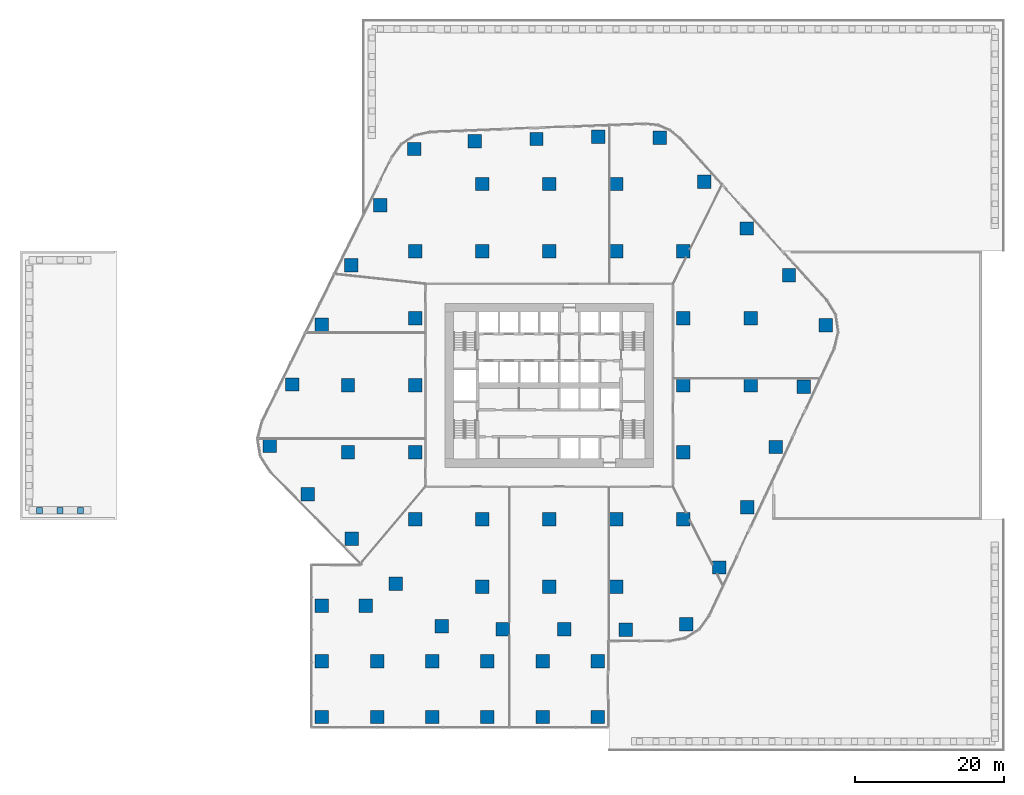
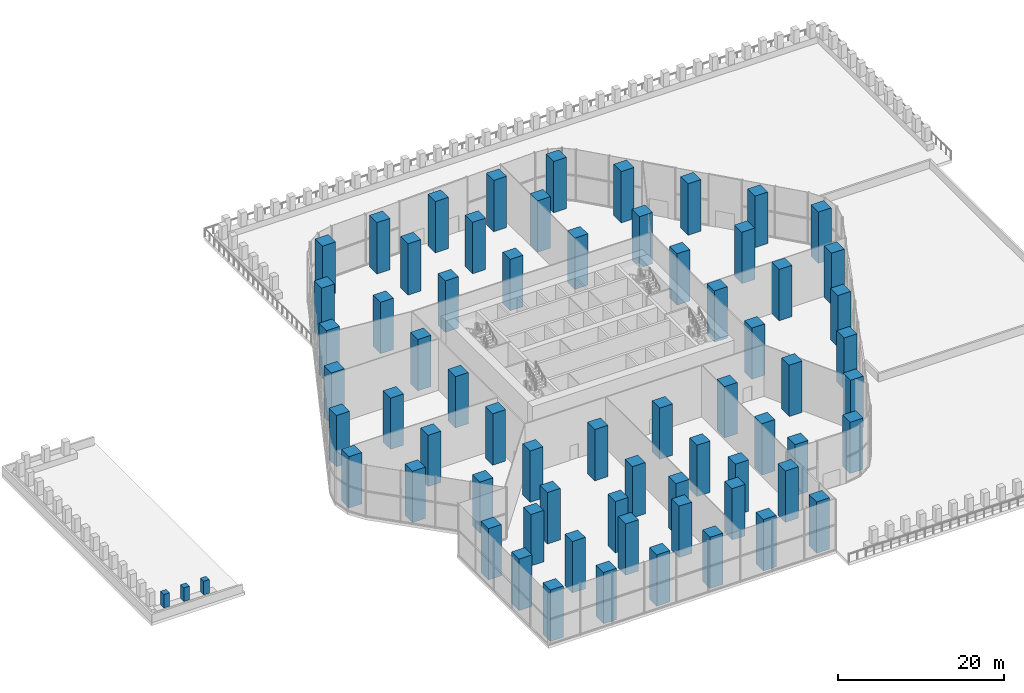
# One storey, part 1 of 22: 66 columns, 3 members.
"""IFC4 building model written with IfcOpenShell, lengths in metres."""

from ifc_helpers import new_model, si_unit, direction, frame, origin, origin_2d, place, context, subcontext, project, spatial, rectangle, extrude, material, material_profile, profile_set, type_object, element, save


model = new_model("IFC4")

# Units and contexts
model_context = context("Model", 3, precision=1e-05, world=origin(), true_north=direction((0.0, 1.0)))
body_context = subcontext(model_context, "Body", "Model", "MODEL_VIEW")
ifc_project = project(units=[si_unit("LENGTHUNIT", "METRE"), si_unit("AREAUNIT", "SQUARE_METRE"), si_unit("VOLUMEUNIT", "CUBIC_METRE"), si_unit("PLANEANGLEUNIT", "RADIAN"), si_unit("MASSUNIT", "GRAM", prefix="KILO")], contexts=[model_context])

# Site, building, storey
site_placement = place(None, origin())
site = spatial("IfcSite", under=ifc_project, at=site_placement, CompositionType="ELEMENT")
building_placement = place(site_placement, origin())
building = spatial("IfcBuilding", under=site, at=building_placement, Name="Dongbaek Canopy Tower", CompositionType="ELEMENT")
storey_placement = place(building_placement, frame((0.0, 0.0, 19.0)))
storey = spatial("IfcBuildingStorey", under=building, at=storey_placement, Name="L02", CompositionType="ELEMENT", Elevation=19.0)

# Columns
ifc_material_1 = material(Name="Concrete C80", Category="concrete")
ifc_material_profile_1 = material_profile(ifc_material_1, rectangle(XDim=1.800048828125, YDim=1.800048828125, at=origin_2d()), Name="RC COLUMN 1800x1800 C80")
ifc_profile_set_1 = profile_set([ifc_material_profile_1], Name="Concrete C80")
column_type = type_object("IfcColumnType", Name="RC COLUMN 1800x1800 C80", PredefinedType="COLUMN", material=ifc_profile_set_1)
for number, where, z_axis, x_axis, name in (
    (1, (18.367919921875, -32.04296875, 0.0), (0.0, 0.0, 1.0), (1.0, 0.0, 0.0), "COL:CP-01:L02"),
    (2, (10.277099609375, -32.7900390625, 0.0), (0.0, 0.0, 1.0), (1.0, 0.0, 0.0), "COL:CP-02:L02"),
    (3, (2.027099609375, -32.7529296875, 0.0), (0.0, 0.0, 1.0), (1.0, 0.0, 0.0), "COL:CP-03:L02"),
    (4, (-6.221923828125, -32.717041015625, 0.0), (0.0, 0.0, 1.0), (1.0, 0.0, 0.0), "COL:CP-04:L02"),
    (5, (-14.43408203125, -32.31298828125, 0.0), (0.0, 0.0, 1.0), (1.0, 0.0, 0.0), "COL:CP-05:L02"),
    (6, (-20.573974609375, -26.60205078125, 0.0), (0.0, 0.0, 1.0), (1.0, 0.0, 0.0), "COL:CP-06:L02"),
    (7, (-26.47802734375, -20.60791015625, 0.0), (0.0, 0.0, 1.0), (1.0, 0.0, 0.0), "COL:CP-07:L02"),
    (8, (-32.382080078125, -14.613037109375, 0.0), (0.0, 0.0, 1.0), (1.0, 0.0, 0.0), "COL:CP-08:L02"),
    (9, (-37.489013671875, -8.123046875, 0.0), (0.0, 0.0, 1.0), (1.0, 0.0, 0.0), "COL:CP-09:L02"),
    (10, (-34.462890625, 0.10302734375, 0.0), (0.0, 0.0, 1.0), (1.0, 0.0, 0.0), "COL:CP-10:L02"),
    (11, (-30.52490234375, 8.111083984375, 0.0), (0.0, 0.0, 1.0), (1.0, 0.0, 0.0), "COL:CP-11:L02"),
    (12, (-26.5859375, 16.117919921875, 0.0), (0.0, 0.0, 1.0), (1.0, 0.0, 0.0), "COL:CP-12:L02"),
    (13, (-22.64794921875, 24.125, 0.0), (0.0, 0.0, 1.0), (1.0, 0.0, 0.0), "COL:CP-13:L02"),
    (14, (-18.138916015625, 31.698974609375, 0.0), (0.0, 0.0, 1.0), (1.0, 0.0, 0.0), "COL:CP-14:L02"),
    (15, (-10.006103515625, 32.714111328125, 0.0), (0.0, 0.0, 1.0), (1.0, 0.0, 0.0), "COL:CP-15:L02"),
    (16, (-1.7080078125, 33.031982421875, 0.0), (0.0, 0.0, 1.0), (1.0, 0.0, 0.0), "COL:CP-16:L02"),
    (17, (6.589111328125, 33.34912109375, 0.0), (0.0, 0.0, 1.0), (1.0, 0.0, 0.0), "COL:CP-17:L02"),
    (18, (14.830078125, 33.194091796875, 0.0), (0.0, 0.0, 1.0), (1.0, 0.0, 0.0), "COL:CP-18:L02"),
    (19, (20.804931640625, 27.297119140625, 0.0), (0.0, 0.0, 1.0), (1.0, 0.0, 0.0), "COL:CP-19:L02"),
    (20, (26.48193359375, 21.029052734375, 0.0), (0.0, 0.0, 1.0), (1.0, 0.0, 0.0), "COL:CP-20:L02"),
    (21, (32.157958984375, 14.760986328125, 0.0), (0.0, 0.0, 1.0), (1.0, 0.0, 0.0), "COL:CP-21:L02"),
    (22, (37.097900390625, 8.06591796875, 0.0), (0.0, 0.0, 1.0), (1.0, 0.0, 0.0), "COL:CP-22:L02"),
    (23, (34.14306640625, -0.205078125, 0.0), (0.0, 0.0, 1.0), (1.0, 0.0, 0.0), "COL:CP-23:L02"),
    (24, (30.360107421875, -8.283935546875, 0.0), (0.0, 0.0, 1.0), (1.0, 0.0, 0.0), "COL:CP-24:L02"),
    (25, (26.575927734375, -16.364013671875, 0.0), (0.0, 0.0, 1.0), (1.0, 0.0, 0.0), "COL:CP-25:L02"),
    (26, (22.7919921875, -24.443115234375, 0.0), (0.0, 0.0, 1.0), (1.0, 0.0, 0.0), "COL:CP-26:L02"),
    (27, (-27.0, -9.0, 0.0), (0.0, 0.0, 1.0), (1.0, 0.0, 0.0), "COL:CIP-01:L02"),
    (28, (-27.0, 0.0, 0.0), (0.0, 0.0, 1.0), (1.0, 0.0, 0.0), "COL:CIP-02:L02"),
    (29, (-18.0, -18.0, 0.0), (0.0, 0.0, 1.0), (1.0, 0.0, 0.0), "COL:CIP-03:L02"),
    (30, (-18.0, -9.0, 0.0), (0.0, 0.0, 1.0), (1.0, 0.0, 0.0), "COL:CIP-04:L02"),
    (31, (-18.0, 0.0, 0.0), (0.0, 0.0, 1.0), (1.0, 0.0, 0.0), "COL:CIP-05:L02"),
    (32, (-18.0, 9.0, 0.0), (0.0, 0.0, 1.0), (1.0, 0.0, 0.0), "COL:CIP-06:L02"),
    (33, (-18.0, 18.0, 0.0), (0.0, 0.0, 1.0), (1.0, 0.0, 0.0), "COL:CIP-07:L02"),
    (34, (-9.0, -27.0, 0.0), (0.0, 0.0, 1.0), (1.0, 0.0, 0.0), "COL:CIP-08:L02"),
    (35, (-9.0, -18.0, 0.0), (0.0, 0.0, 1.0), (1.0, 0.0, 0.0), "COL:CIP-09:L02"),
    (36, (-9.0, 18.0, 0.0), (0.0, 0.0, 1.0), (1.0, 0.0, 0.0), "COL:CIP-10:L02"),
    (37, (-9.0, 27.0, 0.0), (0.0, 0.0, 1.0), (1.0, 0.0, 0.0), "COL:CIP-11:L02"),
    (38, (0.0, -27.0, 0.0), (0.0, 0.0, 1.0), (1.0, 0.0, 0.0), "COL:CIP-12:L02"),
    (39, (0.0, -18.0, 0.0), (0.0, 0.0, 1.0), (1.0, 0.0, 0.0), "COL:CIP-13:L02"),
    (40, (0.0, 18.0, 0.0), (0.0, 0.0, 1.0), (1.0, 0.0, 0.0), "COL:CIP-14:L02"),
    (41, (0.0, 27.0, 0.0), (0.0, 0.0, 1.0), (1.0, 0.0, 0.0), "COL:CIP-15:L02"),
    (42, (9.0, -27.0, 0.0), (0.0, 0.0, 1.0), (1.0, 0.0, 0.0), "COL:CIP-16:L02"),
    (43, (9.0, -18.0, 0.0), (0.0, 0.0, 1.0), (1.0, 0.0, 0.0), "COL:CIP-17:L02"),
    (44, (9.0, 18.0, 0.0), (0.0, 0.0, 1.0), (1.0, 0.0, 0.0), "COL:CIP-18:L02"),
    (45, (9.0, 27.0, 0.0), (0.0, 0.0, 1.0), (1.0, 0.0, 0.0), "COL:CIP-19:L02"),
    (46, (18.0, -18.0, 0.0), (0.0, 0.0, 1.0), (1.0, 0.0, 0.0), "COL:CIP-20:L02"),
    (47, (18.0, -9.0, 0.0), (0.0, 0.0, 1.0), (1.0, 0.0, 0.0), "COL:CIP-21:L02"),
    (48, (18.0, 0.0, 0.0), (0.0, 0.0, 1.0), (1.0, 0.0, 0.0), "COL:CIP-22:L02"),
    (49, (18.0, 9.0, 0.0), (0.0, 0.0, 1.0), (1.0, 0.0, 0.0), "COL:CIP-23:L02"),
    (50, (18.0, 18.0, 0.0), (0.0, 0.0, 1.0), (1.0, 0.0, 0.0), "COL:CIP-24:L02"),
    (51, (27.0, 0.0, 0.0), (0.0, 0.0, 1.0), (1.0, 0.0, 0.0), "COL:CIP-25:L02"),
    (52, (27.0, 9.0, 0.0), (0.0, 0.0, 1.0), (1.0, 0.0, 0.0), "COL:CIP-26:L02"),
    (53, (-30.5, -44.5, 0.0), (0.0, 0.0, 1.0), (1.0, 0.0, 0.0), "COL:CWSA-01:L02"),
    (54, (-30.5, -37.0, 0.0), (0.0, 0.0, 1.0), (1.0, 0.0, 0.0), "COL:CWSA-02:L02"),
    (55, (-30.5, -29.60009765625, 0.0), (0.0, 0.0, 1.0), (1.0, 0.0, 0.0), "COL:CWSA-03:L02"),
    (56, (-23.10009765625, -44.5, 0.0), (0.0, 0.0, 1.0), (1.0, 0.0, 0.0), "COL:CWSA-04:L02"),
    (57, (-23.10009765625, -37.0, 0.0), (0.0, 0.0, 1.0), (1.0, 0.0, 0.0), "COL:CWSA-05:L02"),
    (58, (-24.60009765625, -29.60009765625, 0.0), (0.0, 0.0, 1.0), (1.0, 0.0, 0.0), "COL:CWSA-06:L02"),
    (59, (-15.699951171875, -44.5, 0.0), (0.0, 0.0, 1.0), (1.0, 0.0, 0.0), "COL:CWSA-07:L02"),
    (60, (-15.699951171875, -37.0, 0.0), (0.0, 0.0, 1.0), (1.0, 0.0, 0.0), "COL:CWSA-08:L02"),
    (61, (-8.300048828125, -44.5, 0.0), (0.0, 0.0, 1.0), (1.0, 0.0, 0.0), "COL:CWSA-09:L02"),
    (62, (-8.300048828125, -37.0, 0.0), (0.0, 0.0, 1.0), (1.0, 0.0, 0.0), "COL:CWSA-10:L02"),
    (63, (-0.89990234375, -44.5, 0.0), (0.0, 0.0, 1.0), (1.0, 0.0, 0.0), "COL:CWSA-11:L02"),
    (64, (-0.89990234375, -37.0, 0.0), (0.0, 0.0, 1.0), (1.0, 0.0, 0.0), "COL:CWSA-12:L02"),
    (65, (6.5, -44.5, 0.0), (0.0, 0.0, 1.0), (1.0, 0.0, 0.0), "COL:CWSA-13:L02"),
    (66, (6.5, -37.0, 0.0), (0.0, 0.0, 1.0), (1.0, 0.0, 0.0), "COL:CWSA-14:L02"),
):
    element("IfcColumn", number, at=place(storey_placement, frame(where, z_axis=z_axis, x_axis=x_axis)), inside=storey, type_object=column_type, Name=name, PredefinedType="COLUMN", context=body_context, shape_type="SweptSolid", body=[
        extrude(rectangle(XDim=1.800048828125, YDim=1.800048828125, at=origin_2d()), origin(), (0.0, 0.0, 1.0), 7.550048828125),
    ])

# Members
ifc_material_2 = material(Name="Concrete C40/50 planter mass with planting", Category="concrete")
ifc_material_profile_2 = material_profile(ifc_material_2, rectangle(XDim=0.800048828125, YDim=0.800048828125, at=origin_2d()), Name="Shrub planting 800 x 800 x 2000")
ifc_profile_set_2 = profile_set([ifc_material_profile_2], Name="Concrete C40/50 planter mass with planting")
member_type = type_object("IfcMemberType", Name="Shrub planting 800 x 800 x 2000", PredefinedType="USERDEFINED", material=ifc_profile_set_2)
for number, where, z_axis, x_axis, name in (
    (67, (-62.881591796875, -16.7900390625, 0.89990234375), (0.0, 0.0, 1.0), (1.0, 0.0, 0.0), "Podium shrub planting 108"),
    (68, (-65.64501953125, -16.7900390625, 0.89990234375), (0.0, 0.0, 1.0), (1.0, 0.0, 0.0), "Podium shrub planting 109"),
    (69, (-68.408203125, -16.7900390625, 0.89990234375), (0.0, 0.0, 1.0), (1.0, 0.0, 0.0), "Podium shrub planting 110"),
):
    element("IfcMember", number, at=place(storey_placement, frame(where, z_axis=z_axis, x_axis=x_axis)), inside=storey, type_object=member_type, Name=name, ObjectType="PLANTING", PredefinedType="USERDEFINED", context=body_context, shape_type="SweptSolid", body=[
        extrude(rectangle(XDim=0.800048828125, YDim=0.800048828125, at=origin_2d()), origin(), (0.0, 0.0, 1.0), 2.0),
    ])

save(model, "model.ifc")
